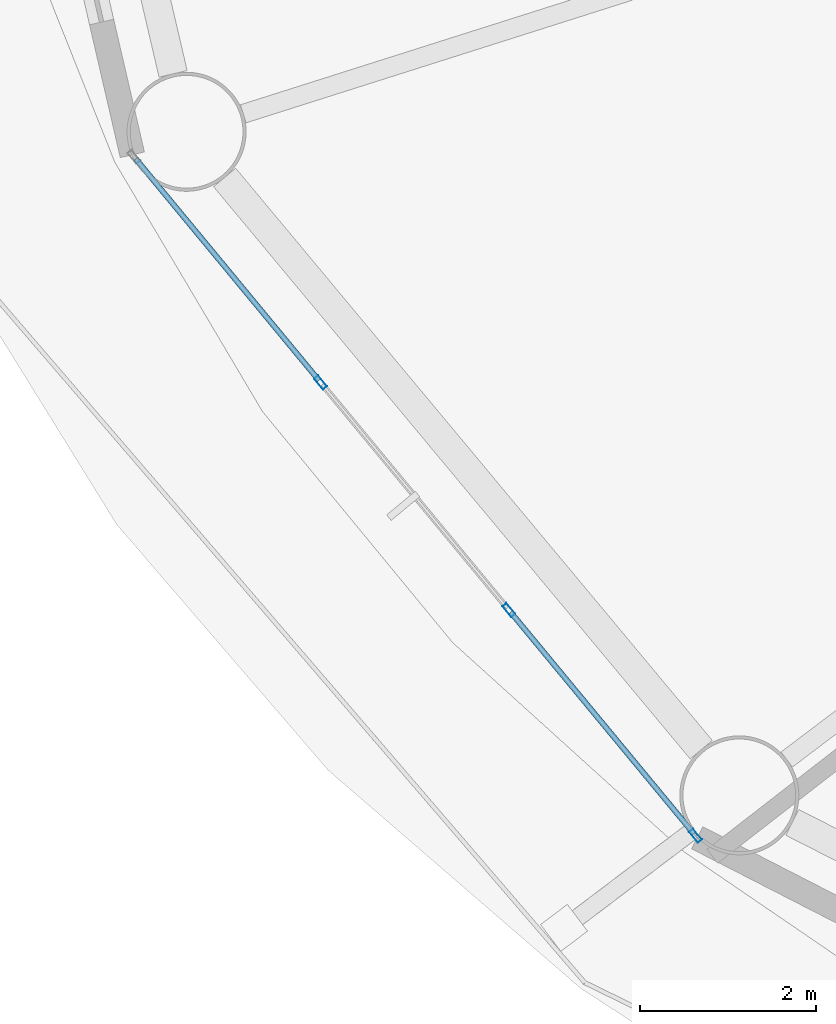
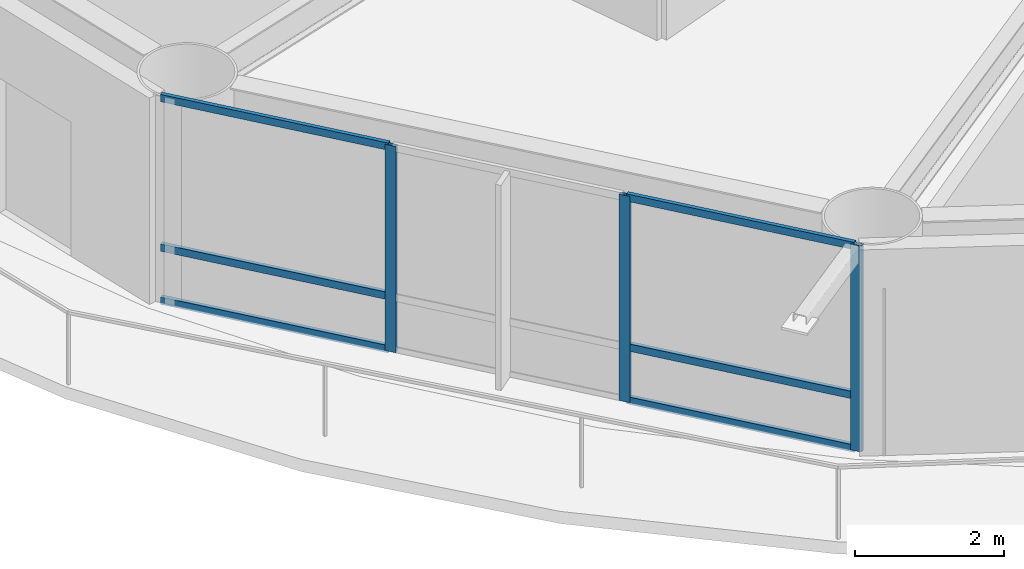
# One storey, part 2 of 26: 9 members, 1 element without a shape of its own.
"""IFC4 building model written with IfcOpenShell, lengths in metres."""

from ifc_helpers import new_model, si_unit, direction, frame, origin, origin_2d, place, context, subcontext, project, spatial, hollow_rectangle, extrude, material, layer, layer_set, material_profile, profile_set, type_object, element, aggregate, save


model = new_model("IFC4")

# Units and contexts
model_context = context("Model", 3, precision=1e-05, world=origin(), true_north=direction((0.0, 1.0)))
body_context = subcontext(model_context, "Body", "Model", "MODEL_VIEW")
ifc_project = project(units=[si_unit("LENGTHUNIT", "METRE"), si_unit("AREAUNIT", "SQUARE_METRE"), si_unit("VOLUMEUNIT", "CUBIC_METRE"), si_unit("PLANEANGLEUNIT", "RADIAN"), si_unit("MASSUNIT", "GRAM", prefix="KILO")], contexts=[model_context])

# Site, building, storey
site_placement = place(None, origin())
site = spatial("IfcSite", under=ifc_project, at=site_placement, CompositionType="ELEMENT")
building_placement = place(site_placement, origin())
building = spatial("IfcBuilding", under=site, at=building_placement, Name="Sarneth Arch Tower", CompositionType="ELEMENT")
storey_placement = place(building_placement, frame((0.0, 0.0, 49.800048828125)))
storey = spatial("IfcBuildingStorey", under=building, at=storey_placement, Name="L11", CompositionType="ELEMENT", Elevation=49.800048828125)

# Curtain wall, members
ifc_material_1 = material(Name="Anodised aluminium Type AA25 and solar-control low-e laminated IGU", Category="aluminium")
ifc_layer = layer(ifc_material_1, 0.159912109375)
ifc_layer_set = layer_set([ifc_layer], Name="Anodised aluminium Type AA25 and solar-control low-e laminated IGU")
curtain_wall_type = type_object("IfcCurtainWallType", Name="CW-HOTEL-LOW", PredefinedType="NOTDEFINED", material=ifc_layer_set)
curtain_wall_placement = place(storey_placement, origin())
curtain_wall = element("IfcCurtainWall", 1, at=curtain_wall_placement, inside=storey, type_object=curtain_wall_type, Name="L11 Unitised curtain wall facet 10", PredefinedType="NOTDEFINED")
ifc_material_2 = material(Name="Anodised Aluminium 6063-T6", Category="aluminium")
ifc_material_profile_1 = material_profile(ifc_material_2, hollow_rectangle(XDim=0.06005859375, YDim=0.159912109375, WallThickness=0.00390625, at=origin_2d()), Name="AL-MULL-160x60x4")
ifc_profile_set_1 = profile_set([ifc_material_profile_1], Name="Anodised Aluminium 6063-T6")
member_type_1 = type_object("IfcMemberType", Name="CW-MULLION", PredefinedType="MULLION", material=ifc_profile_set_1)
member_1_placement = place(storey_placement, frame((21.5546875, 30.279052734375, 0.0), z_axis=(0.0, 0.0, 1.0), x_axis=(0.770622960278, 0.637291340827, 0.0)))
member_1 = element("IfcMember", 2, at=member_1_placement, type_object=member_type_1, Name="CW-SYS-3 mullion 2", PredefinedType="MULLION", context=body_context, shape_type="SweptSolid", body=[
    extrude(hollow_rectangle(XDim=0.06005859375, YDim=0.159912109375, WallThickness=0.00390625, at=origin_2d()), origin(), (0.0, 0.0, 1.0), 3.3798828125),
])
member_2_placement = place(storey_placement, frame((23.690185546875, 27.69677734375, 0.0), z_axis=(0.0, 0.0, 1.0), x_axis=(0.770622960278, 0.637291340827, 0.0)))
member_2 = element("IfcMember", 3, at=member_2_placement, type_object=member_type_1, Name="CW-SYS-3 mullion 3", PredefinedType="MULLION", context=body_context, shape_type="SweptSolid", body=[
    extrude(hollow_rectangle(XDim=0.06005859375, YDim=0.159912109375, WallThickness=0.00390625, at=origin_2d()), origin(), (0.0, 0.0, 1.0), 3.3798828125),
])
member_3_placement = place(storey_placement, frame((25.806640625, 25.137451171875, 0.0), z_axis=(0.0, 0.0, 1.0), x_axis=(0.770622960278, 0.637291340827, 0.0)))
member_3 = element("IfcMember", 4, at=member_3_placement, type_object=member_type_1, Name="CW-SYS-3 mullion 4", PredefinedType="MULLION", context=body_context, shape_type="SweptSolid", body=[
    extrude(hollow_rectangle(XDim=0.06005859375, YDim=0.159912109375, WallThickness=0.00390625, at=origin_2d()), origin(), (0.0, 0.0, 1.0), 3.3798828125),
])
ifc_material_3 = material(Name="Anodised Aluminium 6063-T6", Category="aluminium")
ifc_material_profile_2 = material_profile(ifc_material_3, hollow_rectangle(XDim=0.06005859375, YDim=0.1201171875, WallThickness=0.00390625, at=origin_2d()), Name="AL-TRAN-120x60x4")
ifc_profile_set_2 = profile_set([ifc_material_profile_2], Name="Anodised Aluminium 6063-T6")
member_type_2 = type_object("IfcMemberType", Name="CW-TRANSOM", PredefinedType="USERDEFINED", material=ifc_profile_set_2)
member_4_placement = place(storey_placement, frame((19.457275390625, 32.815185546875, 0.030029296875), z_axis=(0.63733019572, -0.77059082633, 0.0), x_axis=(0.77059082633, 0.63733019572, 0.0)))
member_4 = element("IfcMember", 5, at=member_4_placement, type_object=member_type_2, Name="CW-SYS-3 transom 1.1", ObjectType="TRANSOM", PredefinedType="USERDEFINED", context=body_context, shape_type="SweptSolid", body=[
    extrude(hollow_rectangle(XDim=0.06005859375, YDim=0.1201171875, WallThickness=0.00390625, at=origin_2d()), origin(), (0.0, 0.0, 1.0), 3.260986328125),
])
member_5_placement = place(storey_placement, frame((19.457275390625, 32.815185546875, 0.89990234375), z_axis=(0.63733019572, -0.77059082633, 0.0), x_axis=(0.77059082633, 0.63733019572, 0.0)))
member_5 = element("IfcMember", 6, at=member_5_placement, type_object=member_type_2, Name="CW-SYS-3 transom 1.2", ObjectType="TRANSOM", PredefinedType="USERDEFINED", context=body_context, shape_type="SweptSolid", body=[
    extrude(hollow_rectangle(XDim=0.06005859375, YDim=0.1201171875, WallThickness=0.00390625, at=origin_2d()), origin(), (0.0, 0.0, 1.0), 3.260986328125),
])
member_6_placement = place(storey_placement, frame((19.457275390625, 32.815185546875, 3.349853515625), z_axis=(0.63733019572, -0.77059082633, 0.0), x_axis=(0.77059082633, 0.63733019572, 0.0)))
member_6 = element("IfcMember", 7, at=member_6_placement, type_object=member_type_2, Name="CW-SYS-3 transom 1.3", ObjectType="TRANSOM", PredefinedType="USERDEFINED", context=body_context, shape_type="SweptSolid", body=[
    extrude(hollow_rectangle(XDim=0.06005859375, YDim=0.1201171875, WallThickness=0.00390625, at=origin_2d()), origin(), (0.0, 0.0, 1.0), 3.260986328125),
])
member_7_placement = place(storey_placement, frame((23.70947265625, 27.673583984375, 0.030029296875), z_axis=(0.637285736625, -0.770627594817, 0.0), x_axis=(0.770627594817, 0.637285736625, 0.0)))
member_7 = element("IfcMember", 8, at=member_7_placement, type_object=member_type_2, Name="CW-SYS-3 transom 3.1", ObjectType="TRANSOM", PredefinedType="USERDEFINED", context=body_context, shape_type="SweptSolid", body=[
    extrude(hollow_rectangle(XDim=0.06005859375, YDim=0.1201171875, WallThickness=0.00390625, at=origin_2d()), origin(), (0.0, 0.0, 1.0), 3.260986328125),
])
member_8_placement = place(storey_placement, frame((23.70947265625, 27.673583984375, 0.89990234375), z_axis=(0.637285736625, -0.770627594817, 0.0), x_axis=(0.770627594817, 0.637285736625, 0.0)))
member_8 = element("IfcMember", 9, at=member_8_placement, type_object=member_type_2, Name="CW-SYS-3 transom 3.2", ObjectType="TRANSOM", PredefinedType="USERDEFINED", context=body_context, shape_type="SweptSolid", body=[
    extrude(hollow_rectangle(XDim=0.06005859375, YDim=0.1201171875, WallThickness=0.00390625, at=origin_2d()), origin(), (0.0, 0.0, 1.0), 3.260986328125),
])
member_9_placement = place(storey_placement, frame((23.70947265625, 27.673583984375, 3.349853515625), z_axis=(0.637285736625, -0.770627594817, 0.0), x_axis=(0.770627594817, 0.637285736625, 0.0)))
member_9 = element("IfcMember", 10, at=member_9_placement, type_object=member_type_2, Name="CW-SYS-3 transom 3.3", ObjectType="TRANSOM", PredefinedType="USERDEFINED", context=body_context, shape_type="SweptSolid", body=[
    extrude(hollow_rectangle(XDim=0.06005859375, YDim=0.1201171875, WallThickness=0.00390625, at=origin_2d()), origin(), (0.0, 0.0, 1.0), 3.260986328125),
])
aggregate(curtain_wall, [member_1, member_2, member_3, member_4, member_5, member_6, member_7, member_8, member_9])

save(model, "model.ifc")
